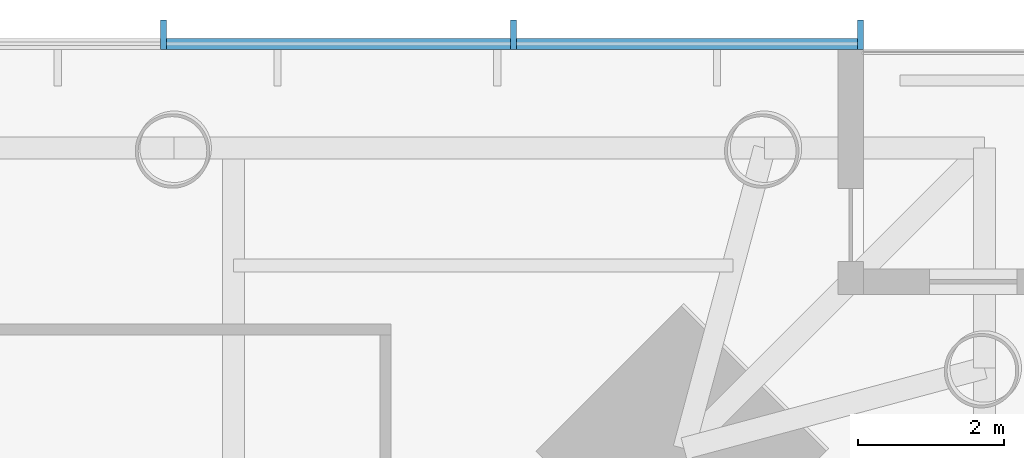
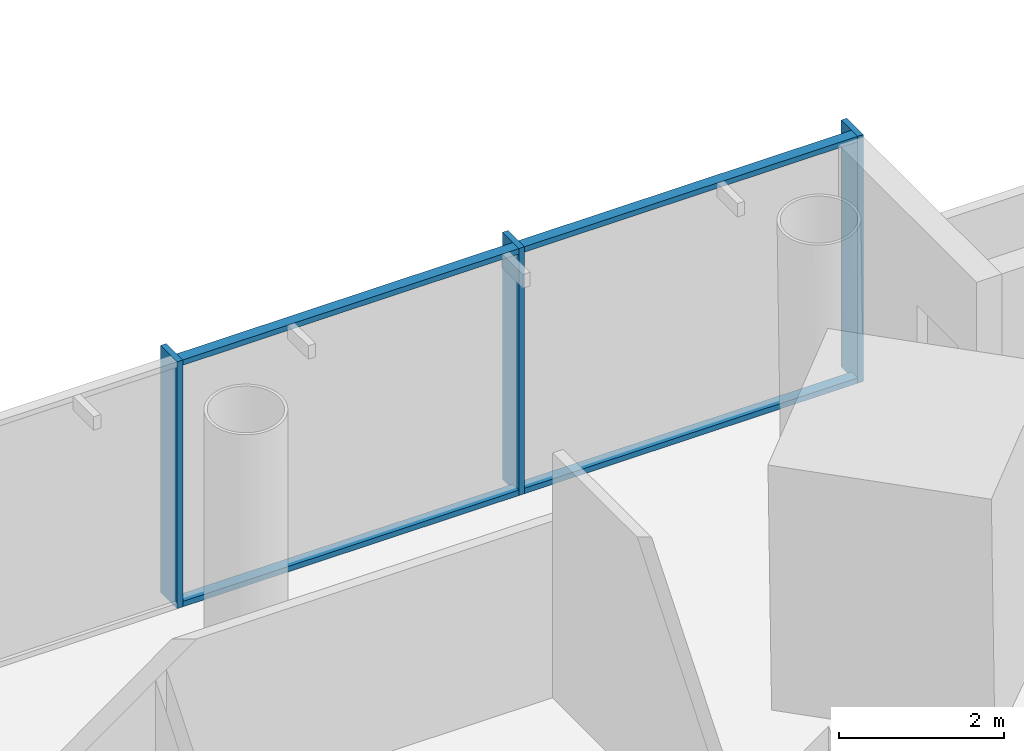
# One storey, part 5 of 21: 7 members, 1 element without a shape of its own.
"""IFC4 building model written with IfcOpenShell, lengths in metres."""

from ifc_helpers import new_model, si_unit, direction, frame, origin, origin_2d, place, context, subcontext, project, spatial, rectangle, extrude, material, material_profile, profile_set, type_object, element, aggregate, save


model = new_model("IFC4")

# Units and contexts
model_context = context("Model", 3, precision=1e-05, world=origin(), true_north=direction((0.0, 1.0)))
body_context = subcontext(model_context, "Body", "Model", "MODEL_VIEW")
ifc_project = project(units=[si_unit("LENGTHUNIT", "METRE"), si_unit("AREAUNIT", "SQUARE_METRE"), si_unit("VOLUMEUNIT", "CUBIC_METRE"), si_unit("PLANEANGLEUNIT", "RADIAN"), si_unit("MASSUNIT", "GRAM", prefix="KILO")], contexts=[model_context])

# Site, building, storey
site_placement = place(None, origin())
site = spatial("IfcSite", under=ifc_project, at=site_placement, CompositionType="ELEMENT")
building_placement = place(site_placement, origin())
building = spatial("IfcBuilding", under=site, at=building_placement, Name="Ostroluk Exchange", CompositionType="ELEMENT")
storey_placement = place(building_placement, frame((0.0, 0.0, 47.60009765625)))
storey = spatial("IfcBuildingStorey", under=building, at=storey_placement, Name="L11", CompositionType="ELEMENT", Elevation=47.60009765625)

# Curtain wall, members
ifc_material_1 = material(Name="Laminated clear glass", Category="glass")
curtain_wall_type = type_object("IfcCurtainWallType", Name="Office tower facade", PredefinedType="USERDEFINED", material=ifc_material_1)
curtain_wall_placement = place(storey_placement, origin())
curtain_wall = element("IfcCurtainWall", 1, at=curtain_wall_placement, inside=storey, type_object=curtain_wall_type, Name="Office tower north facade L11", ObjectType="UNITISED CURTAIN WALL", PredefinedType="USERDEFINED")
ifc_material_2 = material(Name="Aluminium mullion", Category="aluminium")
ifc_material_profile_1 = material_profile(ifc_material_2, rectangle(XDim=0.14990234375, YDim=0.080078125, at=origin_2d()), Name="Sill transom 80 x 150")
ifc_profile_set_1 = profile_set([ifc_material_profile_1], Name="Aluminium mullion")
member_type_1 = type_object("IfcMemberType", Name="Sill transom 80 x 150", PredefinedType="USERDEFINED", material=ifc_profile_set_1)
member_1_placement = place(storey_placement, frame((66.419921875, 70.574951171875, 0.039794921875), z_axis=(-1.0, 0.0, 0.0), x_axis=(0.0, -1.0, 0.0)))
member_1 = element("IfcMember", 2, at=member_1_placement, type_object=member_type_1, Name="CW-O1 transom 1.1", ObjectType="TRANSOM", PredefinedType="USERDEFINED", context=body_context, shape_type="SweptSolid", body=[
    extrude(rectangle(XDim=0.14990234375, YDim=0.080078125, at=origin_2d()), origin(), (0.0, 0.0, 1.0), 4.65771484375),
])
member_2_placement = place(storey_placement, frame((66.419921875, 70.574951171875, 3.60986328125), z_axis=(-1.0, 0.0, 0.0), x_axis=(0.0, -1.0, 0.0)))
member_2 = element("IfcMember", 3, at=member_2_placement, type_object=member_type_1, Name="CW-O1 transom 1.2", ObjectType="TRANSOM", PredefinedType="USERDEFINED", context=body_context, shape_type="SweptSolid", body=[
    extrude(rectangle(XDim=0.14990234375, YDim=0.080078125, at=origin_2d()), origin(), (0.0, 0.0, 1.0), 4.65771484375),
])
member_3_placement = place(storey_placement, frame((61.68212890625, 70.574951171875, 0.039794921875), z_axis=(-1.0, 0.0, 0.0), x_axis=(0.0, -1.0, 0.0)))
member_3 = element("IfcMember", 4, at=member_3_placement, type_object=member_type_1, Name="CW-O1 transom 2.1", ObjectType="TRANSOM", PredefinedType="USERDEFINED", context=body_context, shape_type="SweptSolid", body=[
    extrude(rectangle(XDim=0.14990234375, YDim=0.080078125, at=origin_2d()), origin(), (0.0, 0.0, 1.0), 4.69775390625),
])
member_4_placement = place(storey_placement, frame((61.68212890625, 70.574951171875, 3.60986328125), z_axis=(-1.0, 0.0, 0.0), x_axis=(0.0, -1.0, 0.0)))
member_4 = element("IfcMember", 5, at=member_4_placement, type_object=member_type_1, Name="CW-O1 transom 2.2", ObjectType="TRANSOM", PredefinedType="USERDEFINED", context=body_context, shape_type="SweptSolid", body=[
    extrude(rectangle(XDim=0.14990234375, YDim=0.080078125, at=origin_2d()), origin(), (0.0, 0.0, 1.0), 4.69775390625),
])
ifc_material_3 = material(Name="Aluminium mullion with limestone facing", Category="masonry")
ifc_material_profile_2 = material_profile(ifc_material_3, rectangle(XDim=0.39990234375, YDim=0.080078125, at=origin_2d()), Name="Tracery mullion 80 x 400")
ifc_profile_set_2 = profile_set([ifc_material_profile_2], Name="Aluminium mullion with limestone facing")
member_type_2 = type_object("IfcMemberType", Name="Tracery mullion 80 x 400", PredefinedType="MULLION", material=ifc_profile_set_2)
member_5_placement = place(storey_placement, frame((66.4599609375, 70.699951171875, 0.0), z_axis=(0.0, 0.0, 1.0), x_axis=(0.0, -1.0, 0.0)))
member_5 = element("IfcMember", 6, at=member_5_placement, type_object=member_type_2, Name="CW-O1 mullion 1", PredefinedType="MULLION", context=body_context, shape_type="SweptSolid", body=[
    extrude(rectangle(XDim=0.39990234375, YDim=0.080078125, at=origin_2d()), origin(), (0.0, 0.0, 1.0), 3.64990234375),
])
member_6_placement = place(storey_placement, frame((61.72216796875, 70.699951171875, 0.0), z_axis=(0.0, 0.0, 1.0), x_axis=(0.0, -1.0, 0.0)))
member_6 = element("IfcMember", 7, at=member_6_placement, type_object=member_type_2, Name="CW-O1 mullion 2", PredefinedType="MULLION", context=body_context, shape_type="SweptSolid", body=[
    extrude(rectangle(XDim=0.39990234375, YDim=0.080078125, at=origin_2d()), origin(), (0.0, 0.0, 1.0), 3.64990234375),
])
member_7_placement = place(storey_placement, frame((56.9443359375, 70.699951171875, 0.0), z_axis=(0.0, 0.0, 1.0), x_axis=(0.0, -1.0, 0.0)))
member_7 = element("IfcMember", 8, at=member_7_placement, type_object=member_type_2, Name="CW-O1 mullion 3", PredefinedType="MULLION", context=body_context, shape_type="SweptSolid", body=[
    extrude(rectangle(XDim=0.39990234375, YDim=0.080078125, at=origin_2d()), origin(), (0.0, 0.0, 1.0), 3.64990234375),
])
aggregate(curtain_wall, [member_5, member_6, member_7, member_1, member_2, member_3, member_4])

save(model, "model.ifc")
